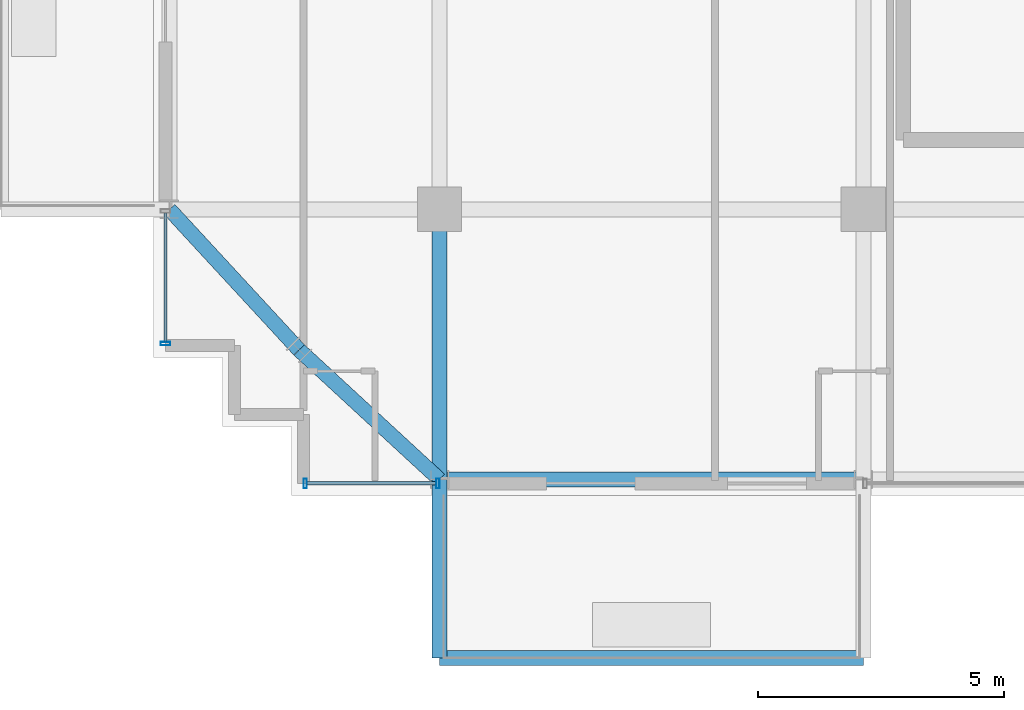
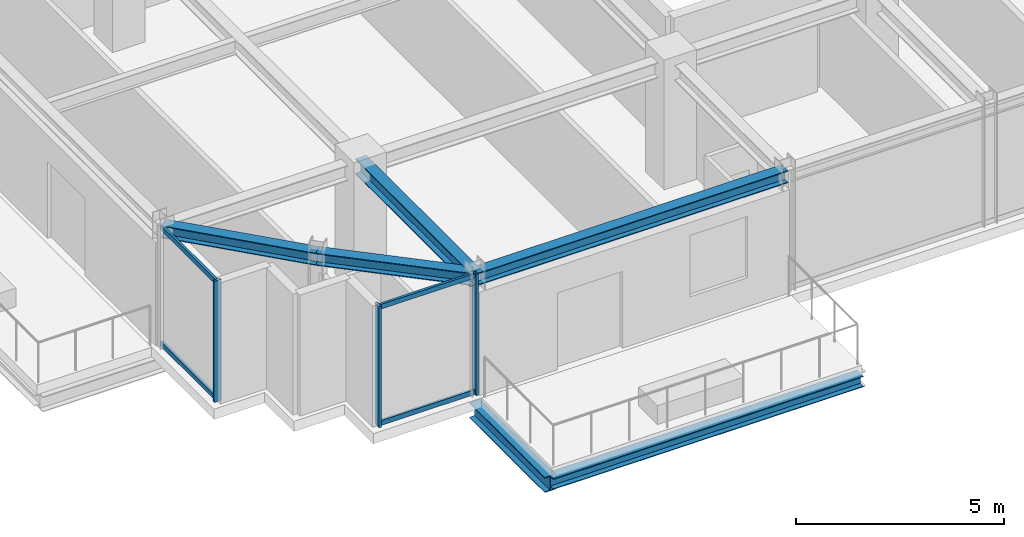
# One storey, part 4 of 37: 7 members, 6 beams, 2 elements without a shape of their own.
"""IFC4 building model written with IfcOpenShell, lengths in metres."""

from ifc_helpers import new_model, si_unit, direction, frame, origin, origin_2d, place, context, subcontext, project, spatial, hollow_rectangle, i_section, extrude, source, transform, mapped, material, material_profile, profile_set, type_object, element, aggregate, save


model = new_model("IFC4")

# Units and contexts
model_context = context("Model", 3, precision=1e-05, world=origin(), true_north=direction((0.0, 1.0)))
body_context = subcontext(model_context, "Body", "Model", "MODEL_VIEW")
ifc_project = project(units=[si_unit("LENGTHUNIT", "METRE"), si_unit("AREAUNIT", "SQUARE_METRE"), si_unit("VOLUMEUNIT", "CUBIC_METRE"), si_unit("PLANEANGLEUNIT", "RADIAN"), si_unit("MASSUNIT", "GRAM", prefix="KILO")], contexts=[model_context])

# Site, building, storey
site_placement = place(None, origin())
site = spatial("IfcSite", under=ifc_project, at=site_placement, CompositionType="ELEMENT")
building_placement = place(site_placement, origin())
building = spatial("IfcBuilding", under=site, at=building_placement, Name="Nahalor Promenade Grand Hotel", CompositionType="ELEMENT")
storey_placement = place(building_placement, frame((0.0, 0.0, 292.64990234375)))
storey = spatial("IfcBuildingStorey", under=building, at=storey_placement, Name="L75", CompositionType="ELEMENT", Elevation=292.64990234375)

# Beams
ifc_material_1 = material(Name="Steel S355JR", Category="steel")
ifc_material_profile_1 = material_profile(ifc_material_1, i_section(OverallWidth=0.3, OverallDepth=0.32, WebThickness=0.0115, FlangeThickness=0.0205, at=origin_2d()), Name="HEB 320")
ifc_profile_set_1 = profile_set([ifc_material_profile_1], Name="Steel S355JR")
beam_type_1 = type_object("IfcBeamType", Name="Beam-BalcEdge-HEB320", PredefinedType="SPANDREL", material=ifc_profile_set_1)
shared_shape_1 = source(origin(), body_context, "Body", "SweptSolid", [
    extrude(i_section(OverallWidth=0.3, OverallDepth=0.32, WebThickness=0.0115, FlangeThickness=0.0205, at=origin_2d()), origin(), (0.0, 0.0, 1.0), 8.60009765625),
])
beam_1_placement = place(storey_placement, frame((-17.0, -26.10009765625, -0.43994140625), z_axis=(1.0, 0.0, 0.0), x_axis=(0.0, 1.0, 0.0)))
element("IfcBeam", 1, at=beam_1_placement, inside=storey, type_object=beam_type_1, Name="BM-L75-BC-01-F", PredefinedType="SPANDREL", context=body_context, shape_type="MappedRepresentation", body=[
    mapped(shared_shape_1, transform((0.0, 0.0, 0.0), scale=1.0)),
])
ifc_material_profile_2 = material_profile(ifc_material_1, i_section(OverallWidth=0.3, OverallDepth=0.45, WebThickness=0.014, FlangeThickness=0.026, at=origin_2d()), Name="HEB 450")
ifc_profile_set_2 = profile_set([ifc_material_profile_2], Name="Steel S355JR")
beam_type_2 = type_object("IfcBeamType", Name="Beam-Outrigger-HEB450", PredefinedType="BEAM", material=ifc_profile_set_2)
shared_shape_2 = source(origin(), body_context, "Body", "SweptSolid", [
    extrude(i_section(OverallWidth=0.3, OverallDepth=0.45, WebThickness=0.014, FlangeThickness=0.026, at=origin_2d()), origin(), (0.0, 0.0, 1.0), 3.6201171875),
])
beam_2_placement = place(storey_placement, frame((-17.0, -26.10009765625, -0.5048828125), z_axis=(0.0, 1.0, 0.0), x_axis=(-1.0, 0.0, 0.0)))
element("IfcBeam", 2, at=beam_2_placement, inside=storey, type_object=beam_type_2, Name="BM-L75-BC-01-1", PredefinedType="BEAM", context=body_context, shape_type="MappedRepresentation", body=[
    mapped(shared_shape_2, transform((0.0, 0.0, 0.0), scale=1.0)),
])
ifc_material_profile_3 = material_profile(ifc_material_1, i_section(OverallWidth=0.3, OverallDepth=0.45, WebThickness=0.014, FlangeThickness=0.026, at=origin_2d()), Name="HEB 450")
ifc_profile_set_3 = profile_set([ifc_material_profile_3], Name="Steel S355JR")
beam_type_3 = type_object("IfcBeamType", Name="Beam-Girder-HEB450", PredefinedType="BEAM", material=ifc_profile_set_3)
shared_shape_3 = source(origin(), body_context, "Body", "SweptSolid", [
    extrude(i_section(OverallWidth=0.3, OverallDepth=0.45, WebThickness=0.014, FlangeThickness=0.026, at=origin_2d()), origin(), (0.0, 0.0, 1.0), 5.47998046875),
])
beam_3_placement = place(storey_placement, frame((-17.0, -22.47998046875, 3.3251953125), z_axis=(0.0, 1.0, 0.0), x_axis=(-1.0, 0.0, 0.0)))
element("IfcBeam", 3, at=beam_3_placement, inside=storey, type_object=beam_type_3, Name="BM-L75-GY-0-0", PredefinedType="BEAM", context=body_context, shape_type="MappedRepresentation", body=[
    mapped(shared_shape_3, transform((0.0, 0.0, 0.0), scale=1.0)),
])
ifc_material_profile_4 = material_profile(ifc_material_1, i_section(OverallWidth=0.3, OverallDepth=0.36, WebThickness=0.0125, FlangeThickness=0.0225, at=origin_2d()), Name="HEB 360")
ifc_profile_set_4 = profile_set([ifc_material_profile_4], Name="Steel S355JR")
beam_type_4 = type_object("IfcBeamType", Name="Beam-Spandrel-HEB360", PredefinedType="SPANDREL", material=ifc_profile_set_4)
shared_shape_4 = source(origin(), body_context, "Body", "SweptSolid", [
    extrude(i_section(OverallWidth=0.3, OverallDepth=0.36, WebThickness=0.0125, FlangeThickness=0.0225, at=origin_2d()), origin(), (0.0, 0.0, 1.0), 8.60009765625),
])
beam_4_placement = place(storey_placement, frame((-17.0, -22.47998046875, 3.3701171875), z_axis=(1.0, 0.0, 0.0), x_axis=(0.0, 1.0, 0.0)))
element("IfcBeam", 4, at=beam_4_placement, inside=storey, type_object=beam_type_4, Name="BM-L75-SP-S-0", PredefinedType="SPANDREL", context=body_context, shape_type="MappedRepresentation", body=[
    mapped(shared_shape_4, transform((0.0, 0.0, 0.0), scale=1.0)),
])
shared_shape_5 = source(origin(), body_context, "Body", "SweptSolid", [
    extrude(i_section(OverallWidth=0.3, OverallDepth=0.36, WebThickness=0.0125, FlangeThickness=0.0225, at=origin_2d()), origin(), (0.0, 0.0, 1.0), 3.878173828125),
])
for number, where, z_axis, x_axis, name in (
    (5, (-17.0, -22.47998046875, 3.3701171875), (-0.73492893846, 0.678144125843, 0.0), (-0.678144125843, -0.73492893846, 0.0), "BM-L75-SPC-SW-1"),
    (6, (-19.85009765625, -19.85009765625, 3.3701171875), (-0.678144125843, 0.73492893846, 0.0), (-0.73492893846, -0.678144125843, 0.0), "BM-L75-SPC-SW-2"),
):
    element("IfcBeam", number, at=place(storey_placement, frame(where, z_axis=z_axis, x_axis=x_axis)), inside=storey, type_object=beam_type_4, Name=name, PredefinedType="SPANDREL", context=body_context, shape_type="MappedRepresentation", body=[
        mapped(shared_shape_5, transform((0.0, 0.0, 0.0), scale=1.0)),
    ])

# Curtain wall, members
ifc_material_2 = material(Name="Anodised Bronze Aluminium EN AW-6063 T6", Category="aluminium")
curtain_wall_type = type_object("IfcCurtainWallType", Name="CW3 Elliptical-Void Collar Unitised Curtain Wall", PredefinedType="USERDEFINED", material=ifc_material_2)
curtain_wall_1_placement = place(storey_placement, origin())
curtain_wall_1 = element("IfcCurtainWall", 7, at=curtain_wall_1_placement, inside=storey, type_object=curtain_wall_type, Name="L75 Curtain Wall CW-L75-S-1", ObjectType="UNITISED_CURTAIN_WALL", PredefinedType="USERDEFINED")
ifc_material_profile_5 = material_profile(ifc_material_2, hollow_rectangle(XDim=0.07, YDim=0.14, WallThickness=0.004, at=origin_2d()), Name="CWT 70x140x4")
ifc_profile_set_5 = profile_set([ifc_material_profile_5], Name="Anodised Bronze Aluminium EN AW-6063 T6")
member_type_1 = type_object("IfcMemberType", Name="CWT3 Void Collar Transom 70x140", PredefinedType="USERDEFINED", material=ifc_profile_set_5)
shared_shape_6 = source(origin(), body_context, "Body", "SweptSolid", [
    extrude(hollow_rectangle(XDim=0.07, YDim=0.14, WallThickness=0.004, at=origin_2d()), origin(), (0.0, 0.0, 1.0), 2.619873046875),
])
member_1_placement = place(storey_placement, frame((-19.68994140625, -22.56005859375, 0.070068359375), z_axis=(1.0, 0.0, 0.0), x_axis=(0.0, 1.0, 0.0)))
member_1 = element("IfcMember", 8, at=member_1_placement, type_object=member_type_1, Name="CW-L75-S-1 Transom 0-0", ObjectType="TRANSOM", PredefinedType="USERDEFINED", context=body_context, shape_type="MappedRepresentation", body=[
    mapped(shared_shape_6, transform((0.0, 0.0, 0.0), scale=1.0)),
])
member_2_placement = place(storey_placement, frame((-19.68994140625, -22.56005859375, 3.47998046875), z_axis=(1.0, 0.0, 0.0), x_axis=(0.0, 1.0, 0.0)))
member_2 = element("IfcMember", 9, at=member_2_placement, type_object=member_type_1, Name="CW-L75-S-1 Transom 0-1", ObjectType="TRANSOM", PredefinedType="USERDEFINED", context=body_context, shape_type="MappedRepresentation", body=[
    mapped(shared_shape_6, transform((0.0, 0.0, 0.0), scale=1.0)),
])

curtain_wall_2_placement = place(storey_placement, origin())
curtain_wall_2 = element("IfcCurtainWall", 10, at=curtain_wall_2_placement, inside=storey, type_object=curtain_wall_type, Name="L75 Curtain Wall CW-L75-W-1", ObjectType="UNITISED_CURTAIN_WALL", PredefinedType="USERDEFINED")
member_3_placement = place(storey_placement, frame((-22.56005859375, -19.68994140625, 0.070068359375), z_axis=(0.0, 1.0, 0.0), x_axis=(-1.0, 0.0, 0.0)))
member_3 = element("IfcMember", 11, at=member_3_placement, type_object=member_type_1, Name="CW-L75-W-1 Transom 0-0", ObjectType="TRANSOM", PredefinedType="USERDEFINED", context=body_context, shape_type="MappedRepresentation", body=[
    mapped(shared_shape_6, transform((0.0, 0.0, 0.0), scale=1.0)),
])
member_4_placement = place(storey_placement, frame((-22.56005859375, -19.68994140625, 3.47998046875), z_axis=(0.0, 1.0, 0.0), x_axis=(-1.0, 0.0, 0.0)))
member_4 = element("IfcMember", 12, at=member_4_placement, type_object=member_type_1, Name="CW-L75-W-1 Transom 0-1", ObjectType="TRANSOM", PredefinedType="USERDEFINED", context=body_context, shape_type="MappedRepresentation", body=[
    mapped(shared_shape_6, transform((0.0, 0.0, 0.0), scale=1.0)),
])

# Member
ifc_material_profile_6 = material_profile(ifc_material_2, hollow_rectangle(XDim=0.07, YDim=0.2, WallThickness=0.005, at=origin_2d()), Name="CWM 70x200x5")
ifc_profile_set_6 = profile_set([ifc_material_profile_6], Name="Anodised Bronze Aluminium EN AW-6063 T6")
member_type_2 = type_object("IfcMemberType", Name="CWM3 Void Collar Mullion 70x200", PredefinedType="MULLION", material=ifc_profile_set_6)
shared_shape_7 = source(origin(), body_context, "Body", "SweptSolid", [
    extrude(hollow_rectangle(XDim=0.07, YDim=0.2, WallThickness=0.005, at=origin_2d()), origin(), (0.0, 0.0, 1.0), 3.550048828125),
])
member_5_placement = place(storey_placement, frame((-19.72509765625, -22.56005859375, 0.0), z_axis=(0.0, 0.0, 1.0), x_axis=(1.0, 0.0, 0.0)))
member_5 = element("IfcMember", 13, at=member_5_placement, type_object=member_type_2, Name="CW-L75-S-1 Mullion 0", PredefinedType="MULLION", context=body_context, shape_type="MappedRepresentation", body=[
    mapped(shared_shape_7, transform((0.0, 0.0, 0.0), scale=1.0)),
])

member_6_placement = place(storey_placement, frame((-17.034912109375, -22.56005859375, 0.0), z_axis=(0.0, 0.0, 1.0), x_axis=(1.0, 0.0, 0.0)))
member_6 = element("IfcMember", 14, at=member_6_placement, type_object=member_type_2, Name="CW-L75-S-1 Mullion 1", PredefinedType="MULLION", context=body_context, shape_type="MappedRepresentation", body=[
    mapped(shared_shape_7, transform((0.0, 0.0, 0.0), scale=1.0)),
])

aggregate(curtain_wall_1, [member_5, member_6, member_1, member_2])

member_7_placement = place(storey_placement, frame((-22.56005859375, -19.72509765625, 0.0), z_axis=(0.0, 0.0, 1.0), x_axis=(0.0, 1.0, 0.0)))
member_7 = element("IfcMember", 15, at=member_7_placement, type_object=member_type_2, Name="CW-L75-W-1 Mullion 0", PredefinedType="MULLION", context=body_context, shape_type="MappedRepresentation", body=[
    mapped(shared_shape_7, transform((0.0, 0.0, 0.0), scale=1.0)),
])

aggregate(curtain_wall_2, [member_7, member_3, member_4])

save(model, "model.ifc")
